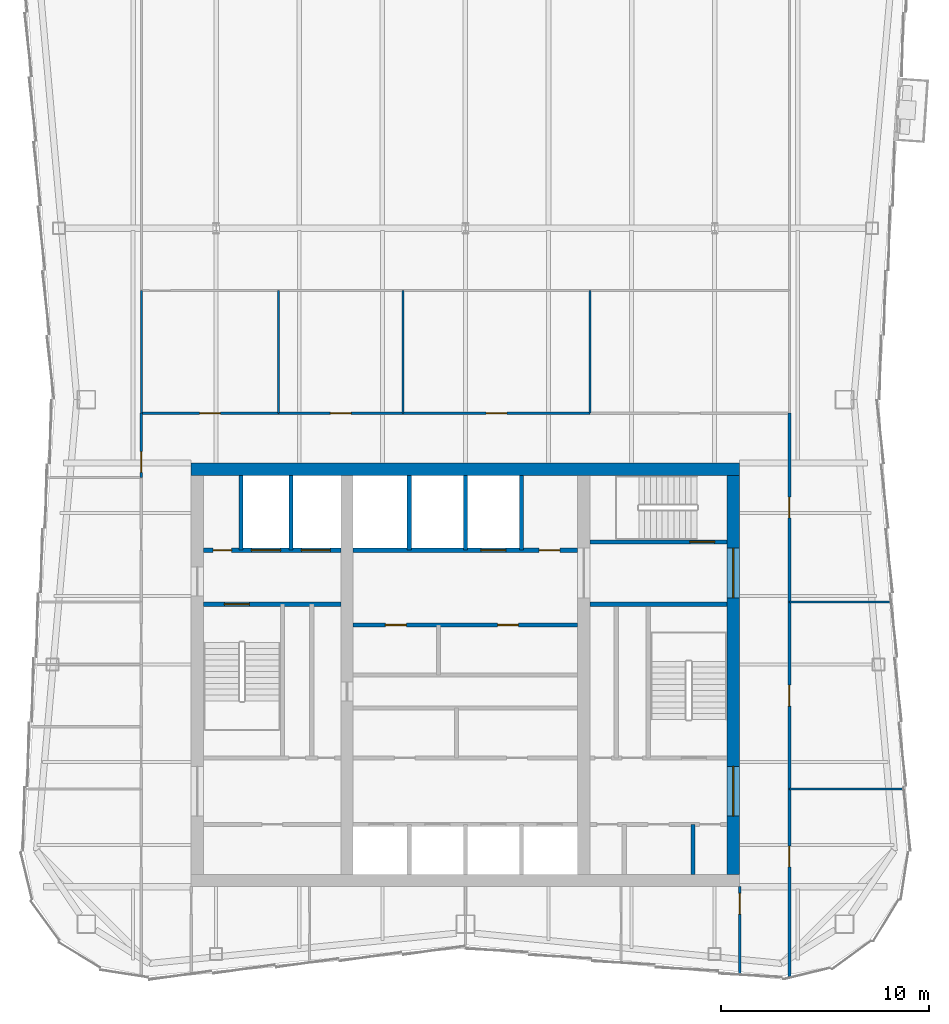
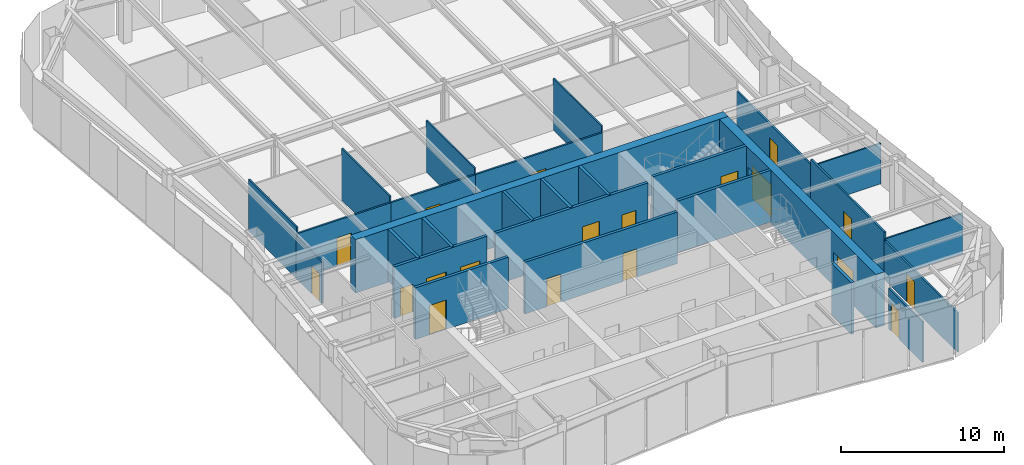
# One storey, part 7 of 10: 28 walls, 19 doors, 19 openings.
"""IFC4 building model written with IfcOpenShell, lengths in metres."""

from ifc_helpers import new_model, si_unit, direction, frame, frame_2d, origin, place, context, subcontext, project, spatial, rectangle, extrude, material, layer, layer_set, type_object, element, fill, save


model = new_model("IFC4")

# Units and contexts
model_context = context("Model", 3, precision=1e-05, world=origin(), true_north=direction((0.0, 1.0)))
body_context = subcontext(model_context, "Body", "Model", "MODEL_VIEW")
ifc_project = project(units=[si_unit("LENGTHUNIT", "METRE"), si_unit("AREAUNIT", "SQUARE_METRE"), si_unit("VOLUMEUNIT", "CUBIC_METRE"), si_unit("PLANEANGLEUNIT", "RADIAN"), si_unit("MASSUNIT", "GRAM", prefix="KILO")], contexts=[model_context])

# Site, building, storey
site_placement = place(None, origin())
site = spatial("IfcSite", under=ifc_project, at=site_placement, CompositionType="ELEMENT")
building_placement = place(site_placement, origin())
building = spatial("IfcBuilding", under=site, at=building_placement, Name="Verdant Reach Tower", CompositionType="ELEMENT")
storey_placement = place(building_placement, frame((0.0, 0.0, 322.0)))
storey = spatial("IfcBuildingStorey", under=building, at=storey_placement, Name="L74", CompositionType="ELEMENT", Elevation=322.0)

# Wall, openings, doors
ifc_material_1 = material(Name="Gypsum board on steel studs", Category="steel")
ifc_layer_1 = layer(ifc_material_1, 0.199951171875)
ifc_layer_set_1 = layer_set([ifc_layer_1], Name="CO-WALL-ROOM")
wall_type_1 = type_object("IfcWallType", Name="CO-WALL-ROOM", PredefinedType="PARTITIONING", material=ifc_layer_set_1)
wall_1_placement = place(storey_placement, frame((-5.39990234375, 30.39990234375, 0.0), z_axis=(0.0, 0.0, 1.0), x_axis=(1.0, 0.0, 0.0)))
wall_1 = element("IfcWall", 1, at=wall_1_placement, inside=storey, type_object=wall_type_1, Name="Core partition, L74", PredefinedType="PARTITIONING", context=body_context, shape_type="SweptSolid", body=[
    extrude(rectangle(XDim=10.7998046875, YDim=0.199951171875, at=frame_2d((5.39990234375, 0.0))), origin(), (0.0, 0.0, 1.0), 3.8701171875),
])
opening_1_placement = place(wall_1_placement, frame((1.552001953125, 0.0, 0.0)))
opening_1 = element("IfcOpeningElement", 2, at=opening_1_placement, cuts=wall_1, Name="Opening CD", PredefinedType="OPENING", context=body_context, shape_type="SweptSolid", body=[
    extrude(rectangle(XDim=1.0, YDim=2.10009765625, at=frame_2d((0.5, 1.050048828125))), frame((0.0, 0.10986328125, 0.0), z_axis=(0.0, -1.0, 0.0), x_axis=(1.0, 0.0, 0.0)), (0.0, 0.0, 1.0), 0.219970703125),
])
opening_2_placement = place(wall_1_placement, frame((6.951904296875, 0.0, 0.0)))
opening_2 = element("IfcOpeningElement", 3, at=opening_2_placement, cuts=wall_1, Name="Opening CD", PredefinedType="OPENING", context=body_context, shape_type="SweptSolid", body=[
    extrude(rectangle(XDim=1.0, YDim=2.10009765625, at=frame_2d((0.5, 1.050048828125))), frame((0.0, 0.10986328125, 0.0), z_axis=(0.0, -1.0, 0.0), x_axis=(1.0, 0.0, 0.0)), (0.0, 0.0, 1.0), 0.219970703125),
])
ifc_material_2 = material(Name="Timber", Category="wood")
door_type_1 = type_object("IfcDoorType", Name="CO-DOOR-ROOM", OperationType="NOTDEFINED", PredefinedType="DOOR", material=ifc_material_2)
door_1_placement = place(opening_1_placement, origin())
door_1 = element("IfcDoor", 4, at=door_1_placement, inside=storey, type_object=door_type_1, Name="Core room door, L74", OperationType="SINGLE_SWING_LEFT", OverallHeight=2.10009765625, OverallWidth=1.0, PredefinedType="DOOR", context=body_context, shape_type="SweptSolid", body=[
    extrude(rectangle(XDim=1.0, YDim=2.10009765625, at=frame_2d((0.5, 1.050048828125))), frame((0.0, 0.02490234375, 0.0), z_axis=(0.0, -1.0, 0.0), x_axis=(1.0, 0.0, 0.0)), (0.0, 0.0, 1.0), 0.050048828125),
])
fill(opening_1, door_1)
door_2_placement = place(opening_2_placement, origin())
door_2 = element("IfcDoor", 5, at=door_2_placement, inside=storey, type_object=door_type_1, Name="Core room door, L74", OperationType="SINGLE_SWING_RIGHT", OverallHeight=2.10009765625, OverallWidth=1.0, PredefinedType="DOOR", context=body_context, shape_type="SweptSolid", body=[
    extrude(rectangle(XDim=1.0, YDim=2.10009765625, at=frame_2d((0.5, 1.050048828125))), frame((0.0, 0.02490234375, 0.0), z_axis=(0.0, -1.0, 0.0), x_axis=(1.0, 0.0, 0.0)), (0.0, 0.0, 1.0), 0.050048828125),
])
fill(opening_2, door_2)

# Wall
wall_2_placement = place(storey_placement, frame((10.949951171875, 18.39990234375, 0.0), z_axis=(0.0, 0.0, 1.0), x_axis=(0.0, 1.0, 0.0)))
element("IfcWall", 6, at=wall_2_placement, inside=storey, type_object=wall_type_1, Name="Core partition, L74", PredefinedType="PARTITIONING", context=body_context, shape_type="SweptSolid", body=[
    extrude(rectangle(XDim=2.400146484375, YDim=0.199951171875, at=frame_2d((1.2001953125, 0.0))), origin(), (0.0, 0.0, 1.0), 3.8701171875),
])

# Wall, openings, doors
ifc_material_3 = material(Name="Concrete C40/50", Category="concrete")
ifc_layer_2 = layer(ifc_material_3, 0.199951171875)
ifc_layer_set_2 = layer_set([ifc_layer_2], Name="CO-WALL-SHAFT")
wall_type_2 = type_object("IfcWallType", Name="CO-WALL-SHAFT", PredefinedType="PARTITIONING", material=ifc_layer_set_2)
wall_3_placement = place(storey_placement, frame((-12.60009765625, 34.0, 0.0), z_axis=(0.0, 0.0, 1.0), x_axis=(1.0, 0.0, 0.0)))
wall_3 = element("IfcWall", 7, at=wall_3_placement, inside=storey, type_object=wall_type_2, Name="Lift shaft wall, L74", PredefinedType="PARTITIONING", context=body_context, shape_type="SweptSolid", body=[
    extrude(rectangle(XDim=6.60009765625, YDim=0.199951171875, at=frame_2d((3.300048828125, 0.0))), origin(), (0.0, 0.0, 1.0), 3.8701171875),
])
opening_3_placement = place(wall_3_placement, frame((4.699951171875, 0.0, 0.0)))
opening_3 = element("IfcOpeningElement", 8, at=opening_3_placement, cuts=wall_3, Name="Opening LD-F1", PredefinedType="OPENING", context=body_context, shape_type="SweptSolid", body=[
    extrude(rectangle(XDim=1.39990234375, YDim=2.199951171875, at=frame_2d((0.699951171875, 1.10009765625))), frame((0.0, 0.10986328125, 0.0), z_axis=(0.0, -1.0, 0.0), x_axis=(1.0, 0.0, 0.0)), (0.0, 0.0, 1.0), 0.219970703125),
])
opening_4_placement = place(wall_3_placement, frame((2.300048828125, 0.0, 0.0)))
opening_4 = element("IfcOpeningElement", 9, at=opening_4_placement, cuts=wall_3, Name="Opening LD-F2", PredefinedType="OPENING", context=body_context, shape_type="SweptSolid", body=[
    extrude(rectangle(XDim=1.39990234375, YDim=2.199951171875, at=frame_2d((0.699951171875, 1.10009765625))), frame((0.0, 0.10986328125, 0.0), z_axis=(0.0, -1.0, 0.0), x_axis=(1.0, 0.0, 0.0)), (0.0, 0.0, 1.0), 0.219970703125),
])
opening_5_placement = place(wall_3_placement, frame((0.449951171875, 0.0, 0.0)))
opening_5 = element("IfcOpeningElement", 10, at=opening_5_placement, cuts=wall_3, Name="Opening RD", PredefinedType="OPENING", context=body_context, shape_type="SweptSolid", body=[
    extrude(rectangle(XDim=0.89990234375, YDim=2.10009765625, at=frame_2d((0.449951171875, 1.050048828125))), frame((0.0, 0.10986328125, 0.0), z_axis=(0.0, -1.0, 0.0), x_axis=(1.0, 0.0, 0.0)), (0.0, 0.0, 1.0), 0.219970703125),
])
ifc_material_4 = material(Name="Stainless steel", Category="steel")
door_type_2 = type_object("IfcDoorType", Name="CO-DOOR-LANDING-FF", OperationType="SLIDING_TO_LEFT", PredefinedType="DOOR", material=ifc_material_4)
door_3_placement = place(opening_3_placement, origin())
door_3 = element("IfcDoor", 11, at=door_3_placement, inside=storey, type_object=door_type_2, Name="Landing door F1, L74", OperationType="SLIDING_TO_LEFT", OverallHeight=2.199951171875, OverallWidth=1.39990234375, PredefinedType="DOOR", context=body_context, shape_type="SweptSolid", body=[
    extrude(rectangle(XDim=1.39990234375, YDim=2.199951171875, at=frame_2d((0.699951171875, 1.10009765625))), frame((0.0, 0.02490234375, 0.0), z_axis=(0.0, -1.0, 0.0), x_axis=(1.0, 0.0, 0.0)), (0.0, 0.0, 1.0), 0.050048828125),
])
fill(opening_3, door_3)
door_4_placement = place(opening_4_placement, origin())
door_4 = element("IfcDoor", 12, at=door_4_placement, inside=storey, type_object=door_type_2, Name="Landing door F2, L74", OperationType="SLIDING_TO_LEFT", OverallHeight=2.199951171875, OverallWidth=1.39990234375, PredefinedType="DOOR", context=body_context, shape_type="SweptSolid", body=[
    extrude(rectangle(XDim=1.39990234375, YDim=2.199951171875, at=frame_2d((0.699951171875, 1.10009765625))), frame((0.0, 0.02490234375, 0.0), z_axis=(0.0, -1.0, 0.0), x_axis=(1.0, 0.0, 0.0)), (0.0, 0.0, 1.0), 0.050048828125),
])
fill(opening_4, door_4)
ifc_material_5 = material(Name="Steel", Category="steel")
door_type_3 = type_object("IfcDoorType", Name="CO-DOOR-RISER", OperationType="NOTDEFINED", PredefinedType="DOOR", material=ifc_material_5)
door_5_placement = place(opening_5_placement, origin())
door_5 = element("IfcDoor", 13, at=door_5_placement, inside=storey, type_object=door_type_3, Name="Core room door, L74", OperationType="SINGLE_SWING_RIGHT", OverallHeight=2.10009765625, OverallWidth=0.89990234375, PredefinedType="DOOR", context=body_context, shape_type="SweptSolid", body=[
    extrude(rectangle(XDim=0.89990234375, YDim=2.10009765625, at=frame_2d((0.449951171875, 1.050048828125))), frame((0.0, 0.02490234375, 0.0), z_axis=(0.0, -1.0, 0.0), x_axis=(1.0, 0.0, 0.0)), (0.0, 0.0, 1.0), 0.050048828125),
])
fill(opening_5, door_5)

wall_4_placement = place(storey_placement, frame((-5.39990234375, 34.0, 0.0), z_axis=(0.0, 0.0, 1.0), x_axis=(1.0, 0.0, 0.0)))
wall_4 = element("IfcWall", 14, at=wall_4_placement, inside=storey, type_object=wall_type_2, Name="Lift shaft wall, L74", PredefinedType="PARTITIONING", context=body_context, shape_type="SweptSolid", body=[
    extrude(rectangle(XDim=10.7998046875, YDim=0.199951171875, at=frame_2d((5.39990234375, 0.0))), origin(), (0.0, 0.0, 1.0), 3.8701171875),
])
opening_6_placement = place(wall_4_placement, frame((6.14990234375, 0.0, 0.0)))
opening_6 = element("IfcOpeningElement", 15, at=opening_6_placement, cuts=wall_4, Name="Opening LD-SL1", PredefinedType="OPENING", context=body_context, shape_type="SweptSolid", body=[
    extrude(rectangle(XDim=1.199951171875, YDim=2.199951171875, at=frame_2d((0.60009765625, 1.10009765625))), frame((0.0, 0.10986328125, 0.0), z_axis=(0.0, -1.0, 0.0), x_axis=(1.0, 0.0, 0.0)), (0.0, 0.0, 1.0), 0.219970703125),
])
opening_7_placement = place(wall_4_placement, frame((8.949951171875, 0.0, 0.0)))
opening_7 = element("IfcOpeningElement", 16, at=opening_7_placement, cuts=wall_4, Name="Opening CD", PredefinedType="OPENING", context=body_context, shape_type="SweptSolid", body=[
    extrude(rectangle(XDim=1.0, YDim=2.10009765625, at=frame_2d((0.5, 1.050048828125))), frame((0.0, 0.10986328125, 0.0), z_axis=(0.0, -1.0, 0.0), x_axis=(1.0, 0.0, 0.0)), (0.0, 0.0, 1.0), 0.219970703125),
])
door_type_4 = type_object("IfcDoorType", Name="CO-DOOR-LANDING", OperationType="SLIDING_TO_LEFT", PredefinedType="DOOR", material=ifc_material_4)
door_6_placement = place(opening_6_placement, origin())
door_6 = element("IfcDoor", 17, at=door_6_placement, inside=storey, type_object=door_type_4, Name="Landing door SL1, L74", OperationType="SLIDING_TO_LEFT", OverallHeight=2.199951171875, OverallWidth=1.199951171875, PredefinedType="DOOR", context=body_context, shape_type="SweptSolid", body=[
    extrude(rectangle(XDim=1.199951171875, YDim=2.199951171875, at=frame_2d((0.60009765625, 1.10009765625))), frame((0.0, 0.02490234375, 0.0), z_axis=(0.0, -1.0, 0.0), x_axis=(1.0, 0.0, 0.0)), (0.0, 0.0, 1.0), 0.050048828125),
])
fill(opening_6, door_6)
door_7_placement = place(opening_7_placement, origin())
door_7 = element("IfcDoor", 18, at=door_7_placement, inside=storey, type_object=door_type_1, Name="Core room door, L74", OperationType="SINGLE_SWING_LEFT", OverallHeight=2.10009765625, OverallWidth=1.0, PredefinedType="DOOR", context=body_context, shape_type="SweptSolid", body=[
    extrude(rectangle(XDim=1.0, YDim=2.10009765625, at=frame_2d((0.5, 1.050048828125))), frame((0.0, 0.02490234375, 0.0), z_axis=(0.0, -1.0, 0.0), x_axis=(1.0, 0.0, 0.0)), (0.0, 0.0, 1.0), 0.050048828125),
])
fill(opening_7, door_7)

# Walls
for number, where, z_axis, x_axis, name in (
    (19, (-10.800048828125, 34.0, 0.0), (0.0, 0.0, 1.0), (0.0, 1.0, 0.0), "Lift shaft wall, L74"),
    (20, (-8.39990234375, 34.0, 0.0), (0.0, 0.0, 1.0), (0.0, 1.0, 0.0), "Lift shaft wall, L74"),
    (21, (-2.699951171875, 34.0, 0.0), (0.0, 0.0, 1.0), (0.0, 1.0, 0.0), "Lift shaft wall, L74"),
    (22, (0.0, 34.0, 0.0), (0.0, 0.0, 1.0), (0.0, 1.0, 0.0), "Lift shaft wall, L74"),
    (23, (2.699951171875, 34.0, 0.0), (0.0, 0.0, 1.0), (0.0, 1.0, 0.0), "Lift shaft wall, L74"),
):
    element("IfcWall", number, at=place(storey_placement, frame(where, z_axis=z_axis, x_axis=x_axis)), inside=storey, type_object=wall_type_2, Name=name, PredefinedType="PARTITIONING", context=body_context, shape_type="SweptSolid", body=[
        extrude(rectangle(XDim=3.60009765625, YDim=0.199951171875, at=frame_2d((1.800048828125, 0.0))), origin(), (0.0, 0.0, 1.0), 3.8701171875),
    ])

# Wall, opening, door
ifc_layer_3 = layer(ifc_material_3, 0.199951171875)
ifc_layer_set_3 = layer_set([ifc_layer_3], Name="CO-WALL-STAIR")
wall_type_3 = type_object("IfcWallType", Name="CO-WALL-STAIR", PredefinedType="PARTITIONING", material=ifc_layer_set_3)
wall_5_placement = place(storey_placement, frame((-12.60009765625, 31.39990234375, 0.0), z_axis=(0.0, 0.0, 1.0), x_axis=(1.0, 0.0, 0.0)))
wall_5 = element("IfcWall", 24, at=wall_5_placement, inside=storey, type_object=wall_type_3, Name="Stair enclosure wall, L74", PredefinedType="PARTITIONING", context=body_context, shape_type="SweptSolid", body=[
    extrude(rectangle(XDim=6.60009765625, YDim=0.199951171875, at=frame_2d((3.300048828125, 0.0))), origin(), (0.0, 0.0, 1.0), 3.8701171875),
])
opening_8_placement = place(wall_5_placement, frame((1.0, 0.0, 0.0)))
opening_8 = element("IfcOpeningElement", 25, at=opening_8_placement, cuts=wall_5, Name="Opening SD", PredefinedType="OPENING", context=body_context, shape_type="SweptSolid", body=[
    extrude(rectangle(XDim=1.199951171875, YDim=2.199951171875, at=frame_2d((0.60009765625, 1.10009765625))), frame((0.0, 0.10986328125, 0.0), z_axis=(0.0, -1.0, 0.0), x_axis=(1.0, 0.0, 0.0)), (0.0, 0.0, 1.0), 0.219970703125),
])
door_type_5 = type_object("IfcDoorType", Name="CO-DOOR-STAIR", OperationType="NOTDEFINED", PredefinedType="DOOR", material=ifc_material_5)
door_8_placement = place(opening_8_placement, origin())
door_8 = element("IfcDoor", 26, at=door_8_placement, inside=storey, type_object=door_type_5, Name="Stair door, L74", OperationType="SINGLE_SWING_RIGHT", OverallHeight=2.199951171875, OverallWidth=1.199951171875, PredefinedType="DOOR", context=body_context, shape_type="SweptSolid", body=[
    extrude(rectangle(XDim=1.199951171875, YDim=2.199951171875, at=frame_2d((0.60009765625, 1.10009765625))), frame((0.0, 0.02490234375, 0.0), z_axis=(0.0, -1.0, 0.0), x_axis=(1.0, 0.0, 0.0)), (0.0, 0.0, 1.0), 0.050048828125),
])
fill(opening_8, door_8)

# Wall
wall_6_placement = place(storey_placement, frame((6.0, 31.39990234375, 0.0), z_axis=(0.0, 0.0, 1.0), x_axis=(1.0, 0.0, 0.0)))
element("IfcWall", 27, at=wall_6_placement, inside=storey, type_object=wall_type_3, Name="Stair enclosure wall, L74", PredefinedType="PARTITIONING", context=body_context, shape_type="SweptSolid", body=[
    extrude(rectangle(XDim=6.60009765625, YDim=0.199951171875, at=frame_2d((3.300048828125, 0.0))), origin(), (0.0, 0.0, 1.0), 3.8701171875),
])

# Wall, opening, door
wall_7_placement = place(storey_placement, frame((6.0, 34.39990234375, 0.0), z_axis=(0.0, 0.0, 1.0), x_axis=(1.0, 0.0, 0.0)))
wall_7 = element("IfcWall", 28, at=wall_7_placement, inside=storey, type_object=wall_type_3, Name="Stair enclosure wall, L74", PredefinedType="PARTITIONING", context=body_context, shape_type="SweptSolid", body=[
    extrude(rectangle(XDim=6.60009765625, YDim=0.199951171875, at=frame_2d((3.300048828125, 0.0))), origin(), (0.0, 0.0, 1.0), 3.8701171875),
])
opening_9_placement = place(wall_7_placement, frame((4.800048828125, 0.0, 0.0)))
opening_9 = element("IfcOpeningElement", 29, at=opening_9_placement, cuts=wall_7, Name="Opening SD", PredefinedType="OPENING", context=body_context, shape_type="SweptSolid", body=[
    extrude(rectangle(XDim=1.199951171875, YDim=2.199951171875, at=frame_2d((0.60009765625, 1.10009765625))), frame((0.0, 0.10986328125, 0.0), z_axis=(0.0, -1.0, 0.0), x_axis=(1.0, 0.0, 0.0)), (0.0, 0.0, 1.0), 0.219970703125),
])
door_9_placement = place(opening_9_placement, origin())
door_9 = element("IfcDoor", 30, at=door_9_placement, inside=storey, type_object=door_type_5, Name="Stair door, L74", OperationType="SINGLE_SWING_RIGHT", OverallHeight=2.199951171875, OverallWidth=1.199951171875, PredefinedType="DOOR", context=body_context, shape_type="SweptSolid", body=[
    extrude(rectangle(XDim=1.199951171875, YDim=2.199951171875, at=frame_2d((0.60009765625, 1.10009765625))), frame((0.0, 0.02490234375, 0.0), z_axis=(0.0, -1.0, 0.0), x_axis=(1.0, 0.0, 0.0)), (0.0, 0.0, 1.0), 0.050048828125),
])
fill(opening_9, door_9)

# Walls
ifc_layer_4 = layer(ifc_material_1, 0.10009765625)
ifc_layer_set_4 = layer_set([ifc_layer_4], Name="FL-W1 Partition 100")
wall_type_4 = type_object("IfcWallType", Name="FL-W1 Partition 100", PredefinedType="PARTITIONING", material=ifc_layer_set_4)
wall_8_placement = place(storey_placement, frame((-15.60009765625, 40.60009765625, 0.0), z_axis=(0.0, 0.0, 1.0), x_axis=(0.0, 1.0, 0.0)))
element("IfcWall", 31, at=wall_8_placement, inside=storey, type_object=wall_type_4, Name="Partition 74.21", PredefinedType="PARTITIONING", context=body_context, shape_type="SweptSolid", body=[
    extrude(rectangle(XDim=5.89990234375, YDim=0.10009765625, at=frame_2d((2.949951171875, 0.0))), origin(), (0.0, 0.0, 1.0), 3.8701171875),
])
wall_9_placement = place(storey_placement, frame((21.123046875, 22.5, 0.0), z_axis=(0.0, 0.0, 1.0), x_axis=(-1.0, 0.0, 0.0)))
element("IfcWall", 32, at=wall_9_placement, inside=storey, type_object=wall_type_4, Name="Partition 74.24", PredefinedType="PARTITIONING", context=body_context, shape_type="SweptSolid", body=[
    extrude(rectangle(XDim=5.52294921875, YDim=0.10009765625, at=frame_2d((2.761474609375, 0.0))), origin(), (0.0, 0.0, 1.0), 3.0400390625),
])
wall_10_placement = place(storey_placement, frame((20.50244140625, 31.5, 0.0), z_axis=(0.0, 0.0, 1.0), x_axis=(-1.0, 0.0, 0.0)))
element("IfcWall", 33, at=wall_10_placement, inside=storey, type_object=wall_type_4, Name="Partition 74.25", PredefinedType="PARTITIONING", context=body_context, shape_type="SweptSolid", body=[
    extrude(rectangle(XDim=4.90234375, YDim=0.10009765625, at=frame_2d((2.451171875, 0.0))), origin(), (0.0, 0.0, 1.0), 3.0400390625),
])
for number, where, z_axis, x_axis, name in (
    (34, (-9.0, 40.60009765625, 0.0), (0.0, 0.0, 1.0), (0.0, 1.0, 0.0), "Partition 74.32"),
    (35, (-3.0, 40.60009765625, 0.0), (0.0, 0.0, 1.0), (0.0, 1.0, 0.0), "Partition 74.34"),
    (36, (6.0, 40.60009765625, 0.0), (0.0, 0.0, 1.0), (0.0, 1.0, 0.0), "Partition 74.36"),
):
    element("IfcWall", number, at=place(storey_placement, frame(where, z_axis=z_axis, x_axis=x_axis)), inside=storey, type_object=wall_type_4, Name=name, PredefinedType="PARTITIONING", context=body_context, shape_type="SweptSolid", body=[
        extrude(rectangle(XDim=5.89990234375, YDim=0.10009765625, at=frame_2d((2.949951171875, 0.0))), origin(), (0.0, 0.0, 1.0), 3.8701171875),
    ])

# Wall, opening, door
ifc_material_6 = material(Name="Gypsum board on steel studs, fire rated", Category="steel")
ifc_layer_5 = layer(ifc_material_6, 0.125)
ifc_layer_set_5 = layer_set([ifc_layer_5], Name="FL-W2 Corridor wall 125")
wall_type_5 = type_object("IfcWallType", Name="FL-W2 Corridor wall 125", PredefinedType="PARTITIONING", material=ifc_layer_set_5)
wall_11_placement = place(storey_placement, frame((-15.60009765625, 37.5, 0.0), z_axis=(0.0, 0.0, 1.0), x_axis=(0.0, 1.0, 0.0)))
wall_11 = element("IfcWall", 37, at=wall_11_placement, inside=storey, type_object=wall_type_5, Name="Partition 74.06", PredefinedType="PARTITIONING", context=body_context, shape_type="SweptSolid", body=[
    extrude(rectangle(XDim=3.10400390625, YDim=0.125, at=frame_2d((1.552001953125, 0.0))), origin(), (0.0, 0.0, 1.0), 3.139892578125),
])
opening_10_placement = place(wall_11_placement, frame((0.251953125, 0.0, 0.0)))
opening_10 = element("IfcOpeningElement", 38, at=opening_10_placement, cuts=wall_11, Name="Opening D2", PredefinedType="OPENING", context=body_context, shape_type="SweptSolid", body=[
    extrude(rectangle(XDim=1.0, YDim=2.10009765625, at=frame_2d((0.5, 1.050048828125))), frame((0.0, 0.072509765625, 0.0), z_axis=(0.0, -1.0, 0.0), x_axis=(1.0, 0.0, 0.0)), (0.0, 0.0, 1.0), 0.14501953125),
])
ifc_material_7 = material(Name="Timber door leaf, fire rated", Category="wood")
door_type_6 = type_object("IfcDoorType", Name="FL-D2 Entrance door 1000x2100 FD30", OperationType="NOTDEFINED", PredefinedType="DOOR", material=ifc_material_7)
door_10_placement = place(opening_10_placement, origin())
door_10 = element("IfcDoor", 39, at=door_10_placement, inside=storey, type_object=door_type_6, Name="Door 74-006", OperationType="SINGLE_SWING_LEFT", OverallHeight=2.10009765625, OverallWidth=1.0, PredefinedType="DOOR", context=body_context, shape_type="SweptSolid", body=[
    extrude(rectangle(XDim=1.0, YDim=2.10009765625, at=frame_2d((0.5, 1.050048828125))), frame((0.0, 0.02490234375, 0.0), z_axis=(0.0, -1.0, 0.0), x_axis=(1.0, 0.0, 0.0)), (0.0, 0.0, 1.0), 0.050048828125),
])
fill(opening_10, door_10)

wall_12_placement = place(storey_placement, frame((15.60009765625, 22.5, 0.0), z_axis=(0.0, 0.0, 1.0), x_axis=(0.0, -1.0, 0.0)))
wall_12 = element("IfcWall", 40, at=wall_12_placement, inside=storey, type_object=wall_type_5, Name="Partition 74.07", PredefinedType="PARTITIONING", context=body_context, shape_type="SweptSolid", body=[
    extrude(rectangle(XDim=9.010498046875, YDim=0.125, at=frame_2d((4.50537109375, 0.0))), origin(), (0.0, 0.0, 1.0), 2.929931640625),
])
opening_11_placement = place(wall_12_placement, frame((2.73974609375, 0.0, 0.0)))
opening_11 = element("IfcOpeningElement", 41, at=opening_11_placement, cuts=wall_12, Name="Opening D2", PredefinedType="OPENING", context=body_context, shape_type="SweptSolid", body=[
    extrude(rectangle(XDim=1.0, YDim=2.10009765625, at=frame_2d((0.5, 1.050048828125))), frame((0.0, 0.072509765625, 0.0), z_axis=(0.0, -1.0, 0.0), x_axis=(1.0, 0.0, 0.0)), (0.0, 0.0, 1.0), 0.14501953125),
])
door_11_placement = place(opening_11_placement, origin())
door_11 = element("IfcDoor", 42, at=door_11_placement, inside=storey, type_object=door_type_6, Name="Door 74-007", OperationType="SINGLE_SWING_LEFT", OverallHeight=2.10009765625, OverallWidth=1.0, PredefinedType="DOOR", context=body_context, shape_type="SweptSolid", body=[
    extrude(rectangle(XDim=1.0, YDim=2.10009765625, at=frame_2d((0.5, 1.050048828125))), frame((0.0, 0.02490234375, 0.0), z_axis=(0.0, -1.0, 0.0), x_axis=(1.0, 0.0, 0.0)), (0.0, 0.0, 1.0), 0.050048828125),
])
fill(opening_11, door_11)

wall_13_placement = place(storey_placement, frame((15.60009765625, 31.5, 0.0), z_axis=(0.0, 0.0, 1.0), x_axis=(0.0, -1.0, 0.0)))
wall_13 = element("IfcWall", 43, at=wall_13_placement, inside=storey, type_object=wall_type_5, Name="Partition 74.08", PredefinedType="PARTITIONING", context=body_context, shape_type="SweptSolid", body=[
    extrude(rectangle(XDim=9.0, YDim=0.125, at=frame_2d((4.5, 0.0))), origin(), (0.0, 0.0, 1.0), 3.5400390625),
])
opening_12_placement = place(wall_13_placement, frame((4.0, 0.0, 0.0)))
opening_12 = element("IfcOpeningElement", 44, at=opening_12_placement, cuts=wall_13, Name="Opening D2", PredefinedType="OPENING", context=body_context, shape_type="SweptSolid", body=[
    extrude(rectangle(XDim=1.0, YDim=2.10009765625, at=frame_2d((0.5, 1.050048828125))), frame((0.0, 0.072509765625, 0.0), z_axis=(0.0, -1.0, 0.0), x_axis=(1.0, 0.0, 0.0)), (0.0, 0.0, 1.0), 0.14501953125),
])
door_12_placement = place(opening_12_placement, origin())
door_12 = element("IfcDoor", 45, at=door_12_placement, inside=storey, type_object=door_type_6, Name="Door 74-008", OperationType="SINGLE_SWING_RIGHT", OverallHeight=2.10009765625, OverallWidth=1.0, PredefinedType="DOOR", context=body_context, shape_type="SweptSolid", body=[
    extrude(rectangle(XDim=1.0, YDim=2.10009765625, at=frame_2d((0.5, 1.050048828125))), frame((0.0, 0.02490234375, 0.0), z_axis=(0.0, -1.0, 0.0), x_axis=(1.0, 0.0, 0.0)), (0.0, 0.0, 1.0), 0.050048828125),
])
fill(opening_12, door_12)

wall_14_placement = place(storey_placement, frame((15.60009765625, 40.60400390625, 0.0), z_axis=(0.0, 0.0, 1.0), x_axis=(0.0, -1.0, 0.0)))
wall_14 = element("IfcWall", 46, at=wall_14_placement, inside=storey, type_object=wall_type_5, Name="Partition 74.09", PredefinedType="PARTITIONING", context=body_context, shape_type="SweptSolid", body=[
    extrude(rectangle(XDim=9.10400390625, YDim=0.125, at=frame_2d((4.552001953125, 0.0))), origin(), (0.0, 0.0, 1.0), 3.139892578125),
])
opening_13_placement = place(wall_14_placement, frame((4.052001953125, 0.0, 0.0)))
opening_13 = element("IfcOpeningElement", 47, at=opening_13_placement, cuts=wall_14, Name="Opening D2", PredefinedType="OPENING", context=body_context, shape_type="SweptSolid", body=[
    extrude(rectangle(XDim=1.0, YDim=2.10009765625, at=frame_2d((0.5, 1.050048828125))), frame((0.0, 0.072509765625, 0.0), z_axis=(0.0, -1.0, 0.0), x_axis=(1.0, 0.0, 0.0)), (0.0, 0.0, 1.0), 0.14501953125),
])
door_13_placement = place(opening_13_placement, origin())
door_13 = element("IfcDoor", 48, at=door_13_placement, inside=storey, type_object=door_type_6, Name="Door 74-009", OperationType="SINGLE_SWING_LEFT", OverallHeight=2.10009765625, OverallWidth=1.0, PredefinedType="DOOR", context=body_context, shape_type="SweptSolid", body=[
    extrude(rectangle(XDim=1.0, YDim=2.10009765625, at=frame_2d((0.5, 1.050048828125))), frame((0.0, 0.02490234375, 0.0), z_axis=(0.0, -1.0, 0.0), x_axis=(1.0, 0.0, 0.0)), (0.0, 0.0, 1.0), 0.050048828125),
])
fill(opening_13, door_13)

wall_15_placement = place(storey_placement, frame((13.199951171875, 13.62158203125, 0.0), z_axis=(0.0, 0.0, 1.0), x_axis=(0.0, 1.0, 0.0)))
wall_15 = element("IfcWall", 49, at=wall_15_placement, inside=storey, type_object=wall_type_5, Name="Partition 74.11", PredefinedType="PARTITIONING", context=body_context, shape_type="SweptSolid", body=[
    extrude(rectangle(XDim=4.178466796875, YDim=0.125, at=frame_2d((2.08935546875, 0.0))), origin(), (0.0, 0.0, 1.0), 3.0400390625),
])
opening_14_placement = place(wall_15_placement, frame((2.854248046875, 0.0, 0.0)))
opening_14 = element("IfcOpeningElement", 50, at=opening_14_placement, cuts=wall_15, Name="Opening D2", PredefinedType="OPENING", context=body_context, shape_type="SweptSolid", body=[
    extrude(rectangle(XDim=1.0, YDim=2.10009765625, at=frame_2d((0.5, 1.050048828125))), frame((0.0, 0.072509765625, 0.0), z_axis=(0.0, -1.0, 0.0), x_axis=(1.0, 0.0, 0.0)), (0.0, 0.0, 1.0), 0.14501953125),
])
door_14_placement = place(opening_14_placement, origin())
door_14 = element("IfcDoor", 51, at=door_14_placement, inside=storey, type_object=door_type_6, Name="Door 74-011", OperationType="SINGLE_SWING_RIGHT", OverallHeight=2.10009765625, OverallWidth=1.0, PredefinedType="DOOR", context=body_context, shape_type="SweptSolid", body=[
    extrude(rectangle(XDim=1.0, YDim=2.10009765625, at=frame_2d((0.5, 1.050048828125))), frame((0.0, 0.02490234375, 0.0), z_axis=(0.0, -1.0, 0.0), x_axis=(1.0, 0.0, 0.0)), (0.0, 0.0, 1.0), 0.050048828125),
])
fill(opening_14, door_14)

wall_16_placement = place(storey_placement, frame((-15.60009765625, 40.60009765625, 0.0), z_axis=(0.0, 0.0, 1.0), x_axis=(1.0, 0.0, 0.0)))
wall_16 = element("IfcWall", 52, at=wall_16_placement, inside=storey, type_object=wall_type_5, Name="Partition 74.12", PredefinedType="PARTITIONING", context=body_context, shape_type="SweptSolid", body=[
    extrude(rectangle(XDim=6.60009765625, YDim=0.125, at=frame_2d((3.300048828125, 0.0))), origin(), (0.0, 0.0, 1.0), 3.389892578125),
])
opening_15_placement = place(wall_16_placement, frame((2.800048828125, 0.0, 0.0)))
opening_15 = element("IfcOpeningElement", 53, at=opening_15_placement, cuts=wall_16, Name="Opening D2", PredefinedType="OPENING", context=body_context, shape_type="SweptSolid", body=[
    extrude(rectangle(XDim=1.0, YDim=2.10009765625, at=frame_2d((0.5, 1.050048828125))), frame((0.0, 0.072509765625, 0.0), z_axis=(0.0, -1.0, 0.0), x_axis=(1.0, 0.0, 0.0)), (0.0, 0.0, 1.0), 0.14501953125),
])
door_15_placement = place(opening_15_placement, origin())
door_15 = element("IfcDoor", 54, at=door_15_placement, inside=storey, type_object=door_type_6, Name="Door 74-012", OperationType="SINGLE_SWING_RIGHT", OverallHeight=2.10009765625, OverallWidth=1.0, PredefinedType="DOOR", context=body_context, shape_type="SweptSolid", body=[
    extrude(rectangle(XDim=1.0, YDim=2.10009765625, at=frame_2d((0.5, 1.050048828125))), frame((0.0, 0.02490234375, 0.0), z_axis=(0.0, -1.0, 0.0), x_axis=(1.0, 0.0, 0.0)), (0.0, 0.0, 1.0), 0.050048828125),
])
fill(opening_15, door_15)

wall_17_placement = place(storey_placement, frame((-9.0, 40.60009765625, 0.0), z_axis=(0.0, 0.0, 1.0), x_axis=(1.0, 0.0, 0.0)))
wall_17 = element("IfcWall", 55, at=wall_17_placement, inside=storey, type_object=wall_type_5, Name="Partition 74.13", PredefinedType="PARTITIONING", context=body_context, shape_type="SweptSolid", body=[
    extrude(rectangle(XDim=6.0, YDim=0.125, at=frame_2d((3.0, 0.0))), origin(), (0.0, 0.0, 1.0), 3.389892578125),
])
opening_16_placement = place(wall_17_placement, frame((2.5, 0.0, 0.0)))
opening_16 = element("IfcOpeningElement", 56, at=opening_16_placement, cuts=wall_17, Name="Opening D2", PredefinedType="OPENING", context=body_context, shape_type="SweptSolid", body=[
    extrude(rectangle(XDim=1.0, YDim=2.10009765625, at=frame_2d((0.5, 1.050048828125))), frame((0.0, 0.072509765625, 0.0), z_axis=(0.0, -1.0, 0.0), x_axis=(1.0, 0.0, 0.0)), (0.0, 0.0, 1.0), 0.14501953125),
])
door_16_placement = place(opening_16_placement, origin())
door_16 = element("IfcDoor", 57, at=door_16_placement, inside=storey, type_object=door_type_6, Name="Door 74-013", OperationType="SINGLE_SWING_LEFT", OverallHeight=2.10009765625, OverallWidth=1.0, PredefinedType="DOOR", context=body_context, shape_type="SweptSolid", body=[
    extrude(rectangle(XDim=1.0, YDim=2.10009765625, at=frame_2d((0.5, 1.050048828125))), frame((0.0, 0.02490234375, 0.0), z_axis=(0.0, -1.0, 0.0), x_axis=(1.0, 0.0, 0.0)), (0.0, 0.0, 1.0), 0.050048828125),
])
fill(opening_16, door_16)

wall_18_placement = place(storey_placement, frame((-3.0, 40.60009765625, 0.0), z_axis=(0.0, 0.0, 1.0), x_axis=(1.0, 0.0, 0.0)))
wall_18 = element("IfcWall", 58, at=wall_18_placement, inside=storey, type_object=wall_type_5, Name="Partition 74.14", PredefinedType="PARTITIONING", context=body_context, shape_type="SweptSolid", body=[
    extrude(rectangle(XDim=9.0, YDim=0.125, at=frame_2d((4.5, 0.0))), origin(), (0.0, 0.0, 1.0), 3.389892578125),
])
opening_17_placement = place(wall_18_placement, frame((4.0, 0.0, 0.0)))
opening_17 = element("IfcOpeningElement", 59, at=opening_17_placement, cuts=wall_18, Name="Opening D2", PredefinedType="OPENING", context=body_context, shape_type="SweptSolid", body=[
    extrude(rectangle(XDim=1.0, YDim=2.10009765625, at=frame_2d((0.5, 1.050048828125))), frame((0.0, 0.072509765625, 0.0), z_axis=(0.0, -1.0, 0.0), x_axis=(1.0, 0.0, 0.0)), (0.0, 0.0, 1.0), 0.14501953125),
])
door_17_placement = place(opening_17_placement, origin())
door_17 = element("IfcDoor", 60, at=door_17_placement, inside=storey, type_object=door_type_6, Name="Door 74-014", OperationType="SINGLE_SWING_RIGHT", OverallHeight=2.10009765625, OverallWidth=1.0, PredefinedType="DOOR", context=body_context, shape_type="SweptSolid", body=[
    extrude(rectangle(XDim=1.0, YDim=2.10009765625, at=frame_2d((0.5, 1.050048828125))), frame((0.0, 0.02490234375, 0.0), z_axis=(0.0, -1.0, 0.0), x_axis=(1.0, 0.0, 0.0)), (0.0, 0.0, 1.0), 0.050048828125),
])
fill(opening_17, door_17)

# Wall
ifc_material_8 = material(Name="Concrete C70/85", Category="concrete")
ifc_layer_6 = layer(ifc_material_8, 0.60009765625)
ifc_layer_set_6 = layer_set([ifc_layer_6], Name="ST-CORE-WALL-600")
wall_type_6 = type_object("IfcWallType", Name="ST-CORE-WALL-600", PredefinedType="SHEAR", material=ifc_layer_set_6)
wall_19_placement = place(storey_placement, frame((-13.199951171875, 37.89990234375, -0.1298828125), z_axis=(0.0, 0.0, 1.0), x_axis=(1.0, 0.0, 0.0)))
element("IfcWall", 61, at=wall_19_placement, inside=storey, type_object=wall_type_6, Name="Core wall N, L74", PredefinedType="SHEAR", context=body_context, shape_type="SweptSolid", body=[
    extrude(rectangle(XDim=26.39990234375, YDim=0.60009765625, at=frame_2d((13.199951171875, 0.0))), origin(), (0.0, 0.0, 1.0), 4.0),
])

# Wall, openings, doors
wall_20_placement = place(storey_placement, frame((12.89990234375, 18.39990234375, -0.1298828125), z_axis=(0.0, 0.0, 1.0), x_axis=(0.0, 1.0, 0.0)))
wall_20 = element("IfcWall", 62, at=wall_20_placement, inside=storey, type_object=wall_type_6, Name="Core wall E, L74", PredefinedType="SHEAR", context=body_context, shape_type="SweptSolid", body=[
    extrude(rectangle(XDim=19.2001953125, YDim=0.60009765625, at=frame_2d((9.60009765625, 0.0))), origin(), (0.0, 0.0, 1.0), 4.0),
])
opening_18_placement = place(wall_20_placement, frame((2.800048828125, 0.0, 0.1298828125)))
opening_18 = element("IfcOpeningElement", 63, at=opening_18_placement, cuts=wall_20, Name="Opening LB", PredefinedType="OPENING", context=body_context, shape_type="SweptSolid", body=[
    extrude(rectangle(XDim=2.39990234375, YDim=2.39990234375, at=frame_2d((1.199951171875, 1.199951171875))), frame((0.0, 0.31005859375, 0.0), z_axis=(0.0, -1.0, 0.0), x_axis=(1.0, 0.0, 0.0)), (0.0, 0.0, 1.0), 0.6201171875),
])
opening_19_placement = place(wall_20_placement, frame((13.300048828125, 0.0, 0.1298828125)))
opening_19 = element("IfcOpeningElement", 64, at=opening_19_placement, cuts=wall_20, Name="Opening LB", PredefinedType="OPENING", context=body_context, shape_type="SweptSolid", body=[
    extrude(rectangle(XDim=2.39990234375, YDim=2.39990234375, at=frame_2d((1.199951171875, 1.199951171875))), frame((0.0, 0.31005859375, 0.0), z_axis=(0.0, -1.0, 0.0), x_axis=(1.0, 0.0, 0.0)), (0.0, 0.0, 1.0), 0.6201171875),
])
ifc_material_9 = material(Name="Glass and steel", Category="steel")
door_type_7 = type_object("IfcDoorType", Name="CO-DOOR-LOBBY", OperationType="DOUBLE_DOOR_SINGLE_SWING", PredefinedType="DOOR", material=ifc_material_9)
door_18_placement = place(opening_18_placement, origin())
door_18 = element("IfcDoor", 65, at=door_18_placement, inside=storey, type_object=door_type_7, Name="Core entrance door, L74", OperationType="DOUBLE_DOOR_SINGLE_SWING", OverallHeight=2.39990234375, OverallWidth=2.39990234375, PredefinedType="DOOR", context=body_context, shape_type="SweptSolid", body=[
    extrude(rectangle(XDim=2.39990234375, YDim=2.39990234375, at=frame_2d((1.199951171875, 1.199951171875))), frame((0.0, 0.02490234375, 0.0), z_axis=(0.0, -1.0, 0.0), x_axis=(1.0, 0.0, 0.0)), (0.0, 0.0, 1.0), 0.050048828125),
])
fill(opening_18, door_18)
door_19_placement = place(opening_19_placement, origin())
door_19 = element("IfcDoor", 66, at=door_19_placement, inside=storey, type_object=door_type_7, Name="Core entrance door, L74", OperationType="DOUBLE_DOOR_SINGLE_SWING", OverallHeight=2.39990234375, OverallWidth=2.39990234375, PredefinedType="DOOR", context=body_context, shape_type="SweptSolid", body=[
    extrude(rectangle(XDim=2.39990234375, YDim=2.39990234375, at=frame_2d((1.199951171875, 1.199951171875))), frame((0.0, 0.02490234375, 0.0), z_axis=(0.0, -1.0, 0.0), x_axis=(1.0, 0.0, 0.0)), (0.0, 0.0, 1.0), 0.050048828125),
])
fill(opening_19, door_19)

save(model, "model.ifc")
